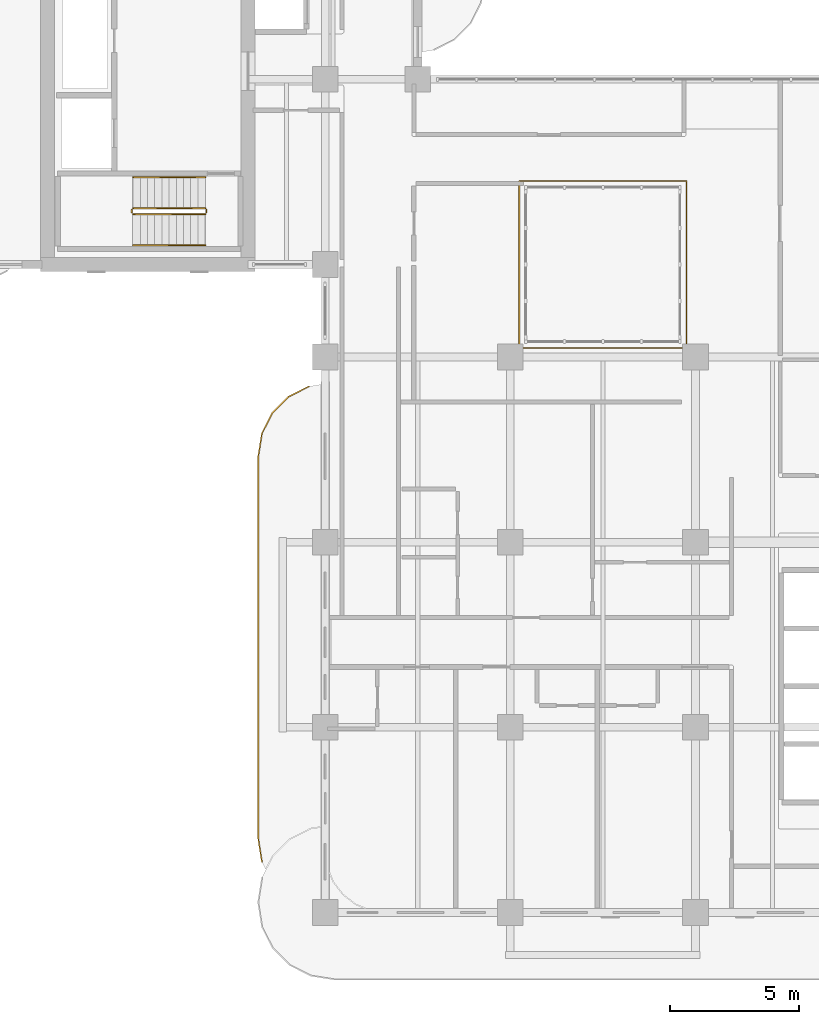
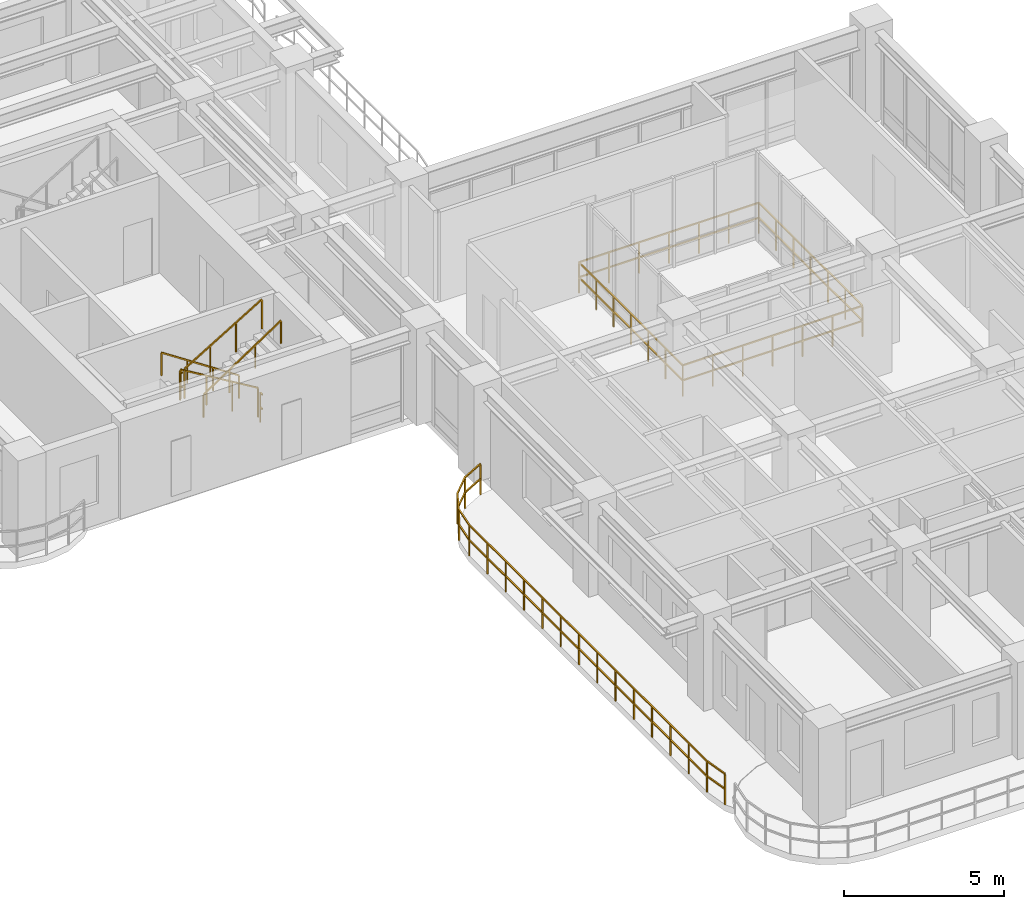
# One storey, part 16 of 20: 8 railings.
"""IFC4 building model written with IfcOpenShell, lengths in metres."""

from ifc_helpers import new_model, si_unit, derived_unit, direction, frame, origin, origin_2d, place, context, subcontext, project, spatial, rectangle, extrude, material, type_object, element, save


model = new_model("IFC4")

# Units and contexts
model_context = context("Model", 3, precision=1e-05, world=origin(), true_north=direction((0.0, 1.0)))
body_context = subcontext(model_context, "Body", "Model", "MODEL_VIEW")
ifc_project = project(units=[si_unit("LENGTHUNIT", "METRE"), si_unit("AREAUNIT", "SQUARE_METRE"), si_unit("VOLUMEUNIT", "CUBIC_METRE"), si_unit("PLANEANGLEUNIT", "RADIAN"), si_unit("MASSUNIT", "GRAM", prefix="KILO"), si_unit("THERMODYNAMICTEMPERATUREUNIT", "KELVIN"), si_unit("POWERUNIT", "WATT"), derived_unit("THERMALTRANSMITTANCEUNIT", [(si_unit("POWERUNIT", "WATT"), 1), (si_unit("AREAUNIT", "SQUARE_METRE"), -1), (si_unit("THERMODYNAMICTEMPERATUREUNIT", "KELVIN"), -1)])], contexts=[model_context])

# Site, building, storey
site_placement = place(None, origin())
site = spatial("IfcSite", under=ifc_project, at=site_placement, CompositionType="ELEMENT")
building_placement = place(site_placement, origin())
building = spatial("IfcBuilding", under=site, at=building_placement, Name="Zahravan Archway Hotel and Residences", CompositionType="ELEMENT")
storey_placement = place(building_placement, frame((0.0, 0.0, 130.300048828125)))
storey = spatial("IfcBuildingStorey", under=building, at=storey_placement, Name="L32", CompositionType="ELEMENT", Elevation=130.300048828125)

# Railings
ifc_material_1 = material(Name="Atrium Laminated Glass Guardrail", Category="glass")
railing_type_1 = type_object("IfcRailingType", Name="RL-ATR-1200", PredefinedType="BALUSTRADE", material=ifc_material_1)
railing_1_placement = place(storey_placement, frame((21.949951171875, 21.949951171875, 0.0)))
element("IfcRailing", 1, at=railing_1_placement, inside=storey, type_object=railing_type_1, Name="L32 Balustrade RL-ATR-L32", PredefinedType="BALUSTRADE", context=body_context, shape_type="SweptSolid", body=[
    extrude(rectangle(XDim=0.048095703125, YDim=0.048095703125, at=origin_2d()), frame((0.0, 0.0, 1.17578125), z_axis=(1.0, 0.0, 0.0), x_axis=(0.0, 1.0, 0.0)), (0.0, 0.0, 1.0), 6.5),
    extrude(rectangle(XDim=0.048095703125, YDim=0.048095703125, at=origin_2d()), frame((0.0, 0.0, 0.60009765625), z_axis=(1.0, 0.0, 0.0), x_axis=(0.0, 1.0, 0.0)), (0.0, 0.0, 1.0), 6.5),
    extrude(rectangle(XDim=0.048095703125, YDim=0.048095703125, at=origin_2d()), frame((6.5, 0.0, 1.17578125), z_axis=(0.0, 1.0, 0.0), x_axis=(-1.0, 0.0, 0.0)), (0.0, 0.0, 1.0), 6.5),
    extrude(rectangle(XDim=0.048095703125, YDim=0.048095703125, at=origin_2d()), frame((6.5, 0.0, 0.60009765625), z_axis=(0.0, 1.0, 0.0), x_axis=(-1.0, 0.0, 0.0)), (0.0, 0.0, 1.0), 6.5),
    extrude(rectangle(XDim=0.048095703125, YDim=0.048095703125, at=origin_2d()), frame((6.5, 6.5, 1.17578125), z_axis=(-1.0, 0.0, 0.0), x_axis=(0.0, -1.0, 0.0)), (0.0, 0.0, 1.0), 6.5),
    extrude(rectangle(XDim=0.048095703125, YDim=0.048095703125, at=origin_2d()), frame((6.5, 6.5, 0.60009765625), z_axis=(-1.0, 0.0, 0.0), x_axis=(0.0, -1.0, 0.0)), (0.0, 0.0, 1.0), 6.5),
    extrude(rectangle(XDim=0.048095703125, YDim=0.048095703125, at=origin_2d()), frame((0.0, 6.5, 1.17578125), z_axis=(0.0, -1.0, 0.0), x_axis=(1.0, 0.0, 0.0)), (0.0, 0.0, 1.0), 6.5),
    extrude(rectangle(XDim=0.048095703125, YDim=0.048095703125, at=origin_2d()), frame((0.0, 6.5, 0.60009765625), z_axis=(0.0, -1.0, 0.0), x_axis=(1.0, 0.0, 0.0)), (0.0, 0.0, 1.0), 6.5),
    extrude(rectangle(XDim=0.0419921875, YDim=0.0419921875, at=origin_2d()), origin(), (0.0, 0.0, 1.0), 1.15185546875),
    extrude(rectangle(XDim=0.0419921875, YDim=0.0419921875, at=origin_2d()), frame((1.083251953125, 0.0, 0.0)), (0.0, 0.0, 1.0), 1.15185546875),
    extrude(rectangle(XDim=0.0419921875, YDim=0.0419921875, at=origin_2d()), frame((2.166748046875, 0.0, 0.0)), (0.0, 0.0, 1.0), 1.15185546875),
    extrude(rectangle(XDim=0.0419921875, YDim=0.0419921875, at=origin_2d()), frame((3.25, 0.0, 0.0)), (0.0, 0.0, 1.0), 1.15185546875),
    extrude(rectangle(XDim=0.0419921875, YDim=0.0419921875, at=origin_2d()), frame((4.333251953125, 0.0, 0.0)), (0.0, 0.0, 1.0), 1.15185546875),
    extrude(rectangle(XDim=0.0419921875, YDim=0.0419921875, at=origin_2d()), frame((5.416748046875, 0.0, 0.0)), (0.0, 0.0, 1.0), 1.15185546875),
    extrude(rectangle(XDim=0.0419921875, YDim=0.0419921875, at=origin_2d()), frame((6.5, 0.0, 0.0)), (0.0, 0.0, 1.0), 1.15185546875),
    extrude(rectangle(XDim=0.0419921875, YDim=0.0419921875, at=origin_2d()), frame((6.5, 1.083251953125, 0.0)), (0.0, 0.0, 1.0), 1.15185546875),
    extrude(rectangle(XDim=0.0419921875, YDim=0.0419921875, at=origin_2d()), frame((6.5, 2.166748046875, 0.0)), (0.0, 0.0, 1.0), 1.15185546875),
    extrude(rectangle(XDim=0.0419921875, YDim=0.0419921875, at=origin_2d()), frame((6.5, 3.25, 0.0)), (0.0, 0.0, 1.0), 1.15185546875),
    extrude(rectangle(XDim=0.0419921875, YDim=0.0419921875, at=origin_2d()), frame((6.5, 4.333251953125, 0.0)), (0.0, 0.0, 1.0), 1.15185546875),
    extrude(rectangle(XDim=0.0419921875, YDim=0.0419921875, at=origin_2d()), frame((6.5, 5.416748046875, 0.0)), (0.0, 0.0, 1.0), 1.15185546875),
    extrude(rectangle(XDim=0.0419921875, YDim=0.0419921875, at=origin_2d()), frame((6.5, 6.5, 0.0)), (0.0, 0.0, 1.0), 1.15185546875),
    extrude(rectangle(XDim=0.0419921875, YDim=0.0419921875, at=origin_2d()), frame((5.416748046875, 6.5, 0.0)), (0.0, 0.0, 1.0), 1.15185546875),
    extrude(rectangle(XDim=0.0419921875, YDim=0.0419921875, at=origin_2d()), frame((4.333251953125, 6.5, 0.0)), (0.0, 0.0, 1.0), 1.15185546875),
    extrude(rectangle(XDim=0.0419921875, YDim=0.0419921875, at=origin_2d()), frame((3.25, 6.5, 0.0)), (0.0, 0.0, 1.0), 1.15185546875),
    extrude(rectangle(XDim=0.0419921875, YDim=0.0419921875, at=origin_2d()), frame((2.166748046875, 6.5, 0.0)), (0.0, 0.0, 1.0), 1.15185546875),
    extrude(rectangle(XDim=0.0419921875, YDim=0.0419921875, at=origin_2d()), frame((1.083251953125, 6.5, 0.0)), (0.0, 0.0, 1.0), 1.15185546875),
    extrude(rectangle(XDim=0.0419921875, YDim=0.0419921875, at=origin_2d()), frame((0.0, 6.5, 0.0)), (0.0, 0.0, 1.0), 1.15185546875),
    extrude(rectangle(XDim=0.0419921875, YDim=0.0419921875, at=origin_2d()), frame((0.0, 5.416748046875, 0.0)), (0.0, 0.0, 1.0), 1.15185546875),
    extrude(rectangle(XDim=0.0419921875, YDim=0.0419921875, at=origin_2d()), frame((0.0, 4.333251953125, 0.0)), (0.0, 0.0, 1.0), 1.15185546875),
    extrude(rectangle(XDim=0.0419921875, YDim=0.0419921875, at=origin_2d()), frame((0.0, 3.25, 0.0)), (0.0, 0.0, 1.0), 1.15185546875),
    extrude(rectangle(XDim=0.0419921875, YDim=0.0419921875, at=origin_2d()), frame((0.0, 2.166748046875, 0.0)), (0.0, 0.0, 1.0), 1.15185546875),
    extrude(rectangle(XDim=0.0419921875, YDim=0.0419921875, at=origin_2d()), frame((0.0, 1.083251953125, 0.0)), (0.0, 0.0, 1.0), 1.15185546875),
])
ifc_material_2 = material(Name="Bronze & Laminated Glass Balustrade", Category="glass")
railing_type_2 = type_object("IfcRailingType", Name="RL-BAL-1200", PredefinedType="BALUSTRADE", material=ifc_material_2)
railing_2_placement = place(storey_placement, frame((11.939453125, 1.96923828125, 0.0)))
element("IfcRailing", 2, at=railing_2_placement, inside=storey, type_object=railing_type_2, Name="L32 Balustrade RL-SLB-BAL-L32-WA-1", PredefinedType="BALUSTRADE", context=body_context, shape_type="SweptSolid", body=[
    extrude(rectangle(XDim=0.048095703125, YDim=0.048095703125, at=origin_2d()), frame((0.0, 0.0, 1.17578125), z_axis=(-0.156314005608, 0.987707411965, 0.0), x_axis=(-0.987707411965, -0.156314005608, 0.0)), (0.0, 0.0, 1.0), 0.891845703125),
    extrude(rectangle(XDim=0.048095703125, YDim=0.048095703125, at=origin_2d()), frame((0.0, 0.0, 0.60009765625), z_axis=(-0.156314005608, 0.987707411965, 0.0), x_axis=(-0.987707411965, -0.156314005608, 0.0)), (0.0, 0.0, 1.0), 0.891845703125),
    extrude(rectangle(XDim=0.048095703125, YDim=0.048095703125, at=origin_2d()), frame((-0.139404296875, 0.880859375, 1.17578125), z_axis=(0.0, 1.0, 0.0), x_axis=(-1.0, 0.0, 0.0)), (0.0, 0.0, 1.0), 14.89990234375),
    extrude(rectangle(XDim=0.048095703125, YDim=0.048095703125, at=origin_2d()), frame((-0.139404296875, 0.880859375, 0.60009765625), z_axis=(0.0, 1.0, 0.0), x_axis=(-1.0, 0.0, 0.0)), (0.0, 0.0, 1.0), 14.89990234375),
    extrude(rectangle(XDim=0.048095703125, YDim=0.048095703125, at=origin_2d()), frame((-0.139404296875, 15.78076171875, 1.17578125), z_axis=(0.156356282588, 0.987700720307, 0.0), x_axis=(-0.987700720307, 0.156356282588, 0.0)), (0.0, 0.0, 1.0), 0.8916015625),
    extrude(rectangle(XDim=0.048095703125, YDim=0.048095703125, at=origin_2d()), frame((-0.139404296875, 15.78076171875, 0.60009765625), z_axis=(0.156356282588, 0.987700720307, 0.0), x_axis=(-0.987700720307, 0.156356282588, 0.0)), (0.0, 0.0, 1.0), 0.8916015625),
    extrude(rectangle(XDim=0.048095703125, YDim=0.048095703125, at=origin_2d()), frame((0.0, 16.661376953125, 1.17578125), z_axis=(0.45388067135, 0.891062476022, 0.0), x_axis=(-0.891062476022, 0.45388067135, 0.0)), (0.0, 0.0, 1.0), 0.891845703125),
    extrude(rectangle(XDim=0.048095703125, YDim=0.048095703125, at=origin_2d()), frame((0.0, 16.661376953125, 0.60009765625), z_axis=(0.45388067135, 0.891062476022, 0.0), x_axis=(-0.891062476022, 0.45388067135, 0.0)), (0.0, 0.0, 1.0), 0.891845703125),
    extrude(rectangle(XDim=0.048095703125, YDim=0.048095703125, at=origin_2d()), frame((0.40478515625, 17.4560546875, 1.17578125), z_axis=(0.70724367147, 0.706969864397, 0.0), x_axis=(-0.706969864397, 0.70724367147, 0.0)), (0.0, 0.0, 1.0), 0.8916015625),
    extrude(rectangle(XDim=0.048095703125, YDim=0.048095703125, at=origin_2d()), frame((0.40478515625, 17.4560546875, 0.60009765625), z_axis=(0.70724367147, 0.706969864397, 0.0), x_axis=(-0.706969864397, 0.70724367147, 0.0)), (0.0, 0.0, 1.0), 0.8916015625),
    extrude(rectangle(XDim=0.048095703125, YDim=0.048095703125, at=origin_2d()), frame((1.035400390625, 18.08642578125, 1.17578125), z_axis=(0.891006060389, 0.453991409995, 0.0), x_axis=(-0.453991409995, 0.891006060389, 0.0)), (0.0, 0.0, 1.0), 0.8916015625),
    extrude(rectangle(XDim=0.048095703125, YDim=0.048095703125, at=origin_2d()), frame((1.035400390625, 18.08642578125, 0.60009765625), z_axis=(0.891006060389, 0.453991409995, 0.0), x_axis=(-0.453991409995, 0.891006060389, 0.0)), (0.0, 0.0, 1.0), 0.8916015625),
    extrude(rectangle(XDim=0.0419921875, YDim=0.0419921875, at=origin_2d()), origin(), (0.0, 0.0, 1.0), 1.15185546875),
    extrude(rectangle(XDim=0.0419921875, YDim=0.0419921875, at=origin_2d()), frame((-0.139404296875, 0.880859375, 0.0)), (0.0, 0.0, 1.0), 1.15185546875),
    extrude(rectangle(XDim=0.0419921875, YDim=0.0419921875, at=origin_2d()), frame((-0.139404296875, 2.027099609375, 0.0)), (0.0, 0.0, 1.0), 1.15185546875),
    extrude(rectangle(XDim=0.0419921875, YDim=0.0419921875, at=origin_2d()), frame((-0.139404296875, 3.173095703125, 0.0)), (0.0, 0.0, 1.0), 1.15185546875),
    extrude(rectangle(XDim=0.0419921875, YDim=0.0419921875, at=origin_2d()), frame((-0.139404296875, 4.3193359375, 0.0)), (0.0, 0.0, 1.0), 1.15185546875),
    extrude(rectangle(XDim=0.0419921875, YDim=0.0419921875, at=origin_2d()), frame((-0.139404296875, 5.46533203125, 0.0)), (0.0, 0.0, 1.0), 1.15185546875),
    extrude(rectangle(XDim=0.0419921875, YDim=0.0419921875, at=origin_2d()), frame((-0.139404296875, 6.611572265625, 0.0)), (0.0, 0.0, 1.0), 1.15185546875),
    extrude(rectangle(XDim=0.0419921875, YDim=0.0419921875, at=origin_2d()), frame((-0.139404296875, 7.7578125, 0.0)), (0.0, 0.0, 1.0), 1.15185546875),
    extrude(rectangle(XDim=0.0419921875, YDim=0.0419921875, at=origin_2d()), frame((-0.139404296875, 8.90380859375, 0.0)), (0.0, 0.0, 1.0), 1.15185546875),
    extrude(rectangle(XDim=0.0419921875, YDim=0.0419921875, at=origin_2d()), frame((-0.139404296875, 10.050048828125, 0.0)), (0.0, 0.0, 1.0), 1.15185546875),
    extrude(rectangle(XDim=0.0419921875, YDim=0.0419921875, at=origin_2d()), frame((-0.139404296875, 11.1962890625, 0.0)), (0.0, 0.0, 1.0), 1.15185546875),
    extrude(rectangle(XDim=0.0419921875, YDim=0.0419921875, at=origin_2d()), frame((-0.139404296875, 12.34228515625, 0.0)), (0.0, 0.0, 1.0), 1.15185546875),
    extrude(rectangle(XDim=0.0419921875, YDim=0.0419921875, at=origin_2d()), frame((-0.139404296875, 13.488525390625, 0.0)), (0.0, 0.0, 1.0), 1.15185546875),
    extrude(rectangle(XDim=0.0419921875, YDim=0.0419921875, at=origin_2d()), frame((-0.139404296875, 14.634521484375, 0.0)), (0.0, 0.0, 1.0), 1.15185546875),
    extrude(rectangle(XDim=0.0419921875, YDim=0.0419921875, at=origin_2d()), frame((-0.139404296875, 15.78076171875, 0.0)), (0.0, 0.0, 1.0), 1.15185546875),
    extrude(rectangle(XDim=0.0419921875, YDim=0.0419921875, at=origin_2d()), frame((0.0, 16.661376953125, 0.0)), (0.0, 0.0, 1.0), 1.15185546875),
    extrude(rectangle(XDim=0.0419921875, YDim=0.0419921875, at=origin_2d()), frame((0.40478515625, 17.4560546875, 0.0)), (0.0, 0.0, 1.0), 1.15185546875),
    extrude(rectangle(XDim=0.0419921875, YDim=0.0419921875, at=origin_2d()), frame((1.035400390625, 18.08642578125, 0.0)), (0.0, 0.0, 1.0), 1.15185546875),
    extrude(rectangle(XDim=0.0419921875, YDim=0.0419921875, at=origin_2d()), frame((1.829833984375, 18.4912109375, 0.0)), (0.0, 0.0, 1.0), 1.15185546875),
])
ifc_material_3 = material(Name="Painted Tubular Steel", Category="steel")
railing_type_3 = type_object("IfcRailingType", Name="RL-STG-1150", PredefinedType="GUARDRAIL", material=ifc_material_3)
railing_3_placement = place(storey_placement, frame((9.72998046875, 27.389892578125, 0.168212890625)))
element("IfcRailing", 3, at=railing_3_placement, inside=storey, type_object=railing_type_3, Name="L32 ST-B1 stair guard 1", PredefinedType="GUARDRAIL", context=body_context, shape_type="SweptSolid", body=[
    extrude(rectangle(XDim=0.048095703125, YDim=0.048095703125, at=origin_2d()), frame((0.0, 0.0, 1.1259765625), z_axis=(-0.857275202839, 0.0, 0.514858452973), x_axis=(0.0, -1.0, 0.0)), (0.0, 0.0, 1.0), 3.26611328125),
    extrude(rectangle(XDim=0.0419921875, YDim=0.0419921875, at=origin_2d()), origin(), (0.0, 0.0, 1.0), 1.101806640625),
    extrude(rectangle(XDim=0.0419921875, YDim=0.0419921875, at=origin_2d()), frame((-0.933349609375, 0.0, 0.560546875)), (0.0, 0.0, 1.0), 1.101806640625),
    extrude(rectangle(XDim=0.0419921875, YDim=0.0419921875, at=origin_2d()), frame((-1.86669921875, 0.0, 1.12109375)), (0.0, 0.0, 1.0), 1.101806640625),
    extrude(rectangle(XDim=0.0419921875, YDim=0.0419921875, at=origin_2d()), frame((-2.800048828125, 0.0, 1.681640625)), (0.0, 0.0, 1.0), 1.101806640625),
])
railing_4_placement = place(storey_placement, frame((6.8798828125, 27.340087890625, 1.849853515625)))
element("IfcRailing", 4, at=railing_4_placement, inside=storey, type_object=railing_type_3, Name="L32 ST-B1 stair guard 2", PredefinedType="GUARDRAIL", context=body_context, shape_type="SweptSolid", body=[
    extrude(rectangle(XDim=0.048095703125, YDim=0.048095703125, at=origin_2d()), frame((0.0, 0.0, 1.1259765625), z_axis=(0.0, -1.0, 0.0), x_axis=(1.0, 0.0, 0.0)), (0.0, 0.0, 1.0), 0.14013671875),
    extrude(rectangle(XDim=0.048095703125, YDim=0.048095703125, at=origin_2d()), frame((0.0, 0.0, 0.574951171875), z_axis=(0.0, -1.0, 0.0), x_axis=(1.0, 0.0, 0.0)), (0.0, 0.0, 1.0), 0.14013671875),
    extrude(rectangle(XDim=0.0419921875, YDim=0.0419921875, at=origin_2d()), origin(), (0.0, 0.0, 1.0), 1.101806640625),
])
railing_5_placement = place(storey_placement, frame((6.929931640625, 27.14990234375, 2.01806640625)))
element("IfcRailing", 5, at=railing_5_placement, inside=storey, type_object=railing_type_3, Name="L32 ST-B1 stair guard 3", PredefinedType="GUARDRAIL", context=body_context, shape_type="SweptSolid", body=[
    extrude(rectangle(XDim=0.048095703125, YDim=0.048095703125, at=origin_2d()), frame((0.0, 0.0, 1.1259765625), z_axis=(0.857242210791, 0.0, 0.514913383045), x_axis=(0.0, 1.0, 0.0)), (0.0, 0.0, 1.0), 3.266357421875),
    extrude(rectangle(XDim=0.0419921875, YDim=0.0419921875, at=origin_2d()), origin(), (0.0, 0.0, 1.0), 1.101806640625),
    extrude(rectangle(XDim=0.0419921875, YDim=0.0419921875, at=origin_2d()), frame((0.933349609375, 0.0, 0.560546875)), (0.0, 0.0, 1.0), 1.101806640625),
    extrude(rectangle(XDim=0.0419921875, YDim=0.0419921875, at=origin_2d()), frame((1.86669921875, 0.0, 1.121337890625)), (0.0, 0.0, 1.0), 1.101806640625),
    extrude(rectangle(XDim=0.0419921875, YDim=0.0419921875, at=origin_2d()), frame((2.800048828125, 0.0, 1.681884765625)), (0.0, 0.0, 1.0), 1.101806640625),
])
railing_6_placement = place(storey_placement, frame((9.780029296875, 27.340087890625, 0.0)))
element("IfcRailing", 6, at=railing_6_placement, inside=storey, type_object=railing_type_3, Name="L32 ST-B1 stair guard 4", PredefinedType="GUARDRAIL", context=body_context, shape_type="SweptSolid", body=[
    extrude(rectangle(XDim=0.048095703125, YDim=0.048095703125, at=origin_2d()), frame((0.0, 0.0, 1.1259765625), z_axis=(0.0, -1.0, 0.0), x_axis=(1.0, 0.0, 0.0)), (0.0, 0.0, 1.0), 0.14013671875),
    extrude(rectangle(XDim=0.048095703125, YDim=0.048095703125, at=origin_2d()), frame((0.0, 0.0, 0.574951171875), z_axis=(0.0, -1.0, 0.0), x_axis=(1.0, 0.0, 0.0)), (0.0, 0.0, 1.0), 0.14013671875),
    extrude(rectangle(XDim=0.0419921875, YDim=0.0419921875, at=origin_2d()), origin(), (0.0, 0.0, 1.0), 1.101806640625),
])
ifc_material_4 = material(Name="Brushed Stainless Steel", Category="steel")
railing_type_4 = type_object("IfcRailingType", Name="RL-STH-900", PredefinedType="HANDRAIL", material=ifc_material_4)
railing_7_placement = place(storey_placement, frame((9.72998046875, 28.590087890625, 0.168212890625)))
element("IfcRailing", 7, at=railing_7_placement, inside=storey, type_object=railing_type_4, Name="L32 ST-B1 stair handrail 1", PredefinedType="HANDRAIL", context=body_context, shape_type="SweptSolid", body=[
    extrude(rectangle(XDim=0.048095703125, YDim=0.048095703125, at=origin_2d()), frame((0.0, 0.0, 0.8759765625), z_axis=(-0.83435981716, 0.0, 0.551220187865), x_axis=(0.0, -1.0, 0.0)), (0.0, 0.0, 1.0), 3.35595703125),
    extrude(rectangle(XDim=0.0419921875, YDim=0.0419921875, at=origin_2d()), origin(), (0.0, 0.0, 1.0), 0.851806640625),
    extrude(rectangle(XDim=0.0419921875, YDim=0.0419921875, at=origin_2d()), frame((-0.933349609375, 0.0, 0.61669921875)), (0.0, 0.0, 1.0), 0.851806640625),
    extrude(rectangle(XDim=0.0419921875, YDim=0.0419921875, at=origin_2d()), frame((-1.86669921875, 0.0, 1.233154296875)), (0.0, 0.0, 1.0), 0.851806640625),
    extrude(rectangle(XDim=0.0419921875, YDim=0.0419921875, at=origin_2d()), frame((-2.800048828125, 0.0, 1.849853515625)), (0.0, 0.0, 1.0), 0.851806640625),
])
railing_8_placement = place(storey_placement, frame((6.929931640625, 25.949951171875, 2.01806640625)))
element("IfcRailing", 8, at=railing_8_placement, inside=storey, type_object=railing_type_4, Name="L32 ST-B1 stair handrail 2", PredefinedType="HANDRAIL", context=body_context, shape_type="SweptSolid", body=[
    extrude(rectangle(XDim=0.048095703125, YDim=0.048095703125, at=origin_2d()), frame((0.0, 0.0, 0.8759765625), z_axis=(0.834326358476, 0.0, 0.551270829586), x_axis=(0.0, 1.0, 0.0)), (0.0, 0.0, 1.0), 3.35595703125),
    extrude(rectangle(XDim=0.0419921875, YDim=0.0419921875, at=origin_2d()), origin(), (0.0, 0.0, 1.0), 0.851806640625),
    extrude(rectangle(XDim=0.0419921875, YDim=0.0419921875, at=origin_2d()), frame((0.933349609375, 0.0, 0.61669921875)), (0.0, 0.0, 1.0), 0.851806640625),
    extrude(rectangle(XDim=0.0419921875, YDim=0.0419921875, at=origin_2d()), frame((1.86669921875, 0.0, 1.2333984375)), (0.0, 0.0, 1.0), 0.851806640625),
    extrude(rectangle(XDim=0.0419921875, YDim=0.0419921875, at=origin_2d()), frame((2.800048828125, 0.0, 1.85009765625)), (0.0, 0.0, 1.0), 0.851806640625),
])

save(model, "model.ifc")
